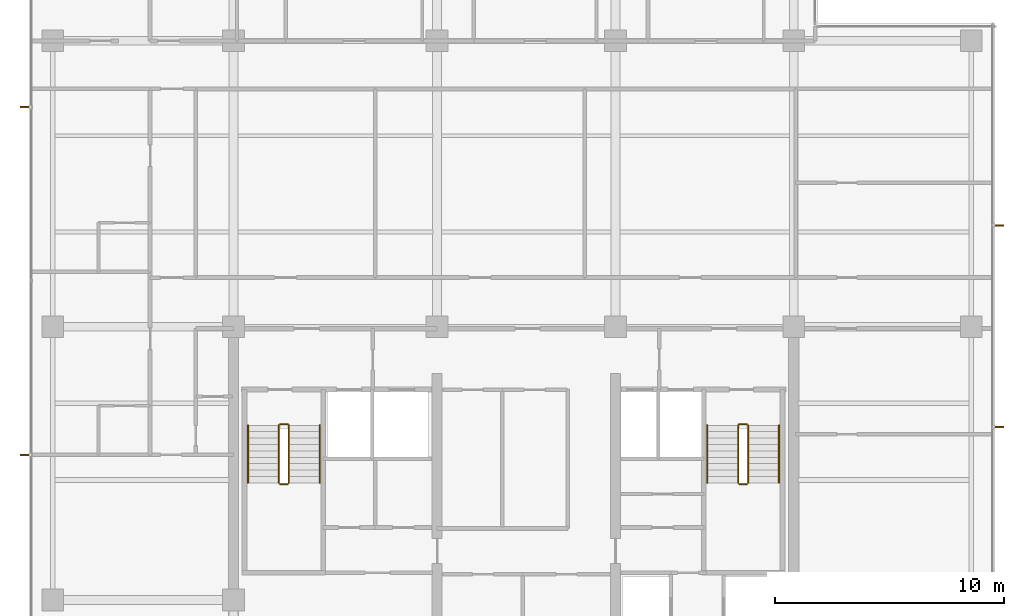
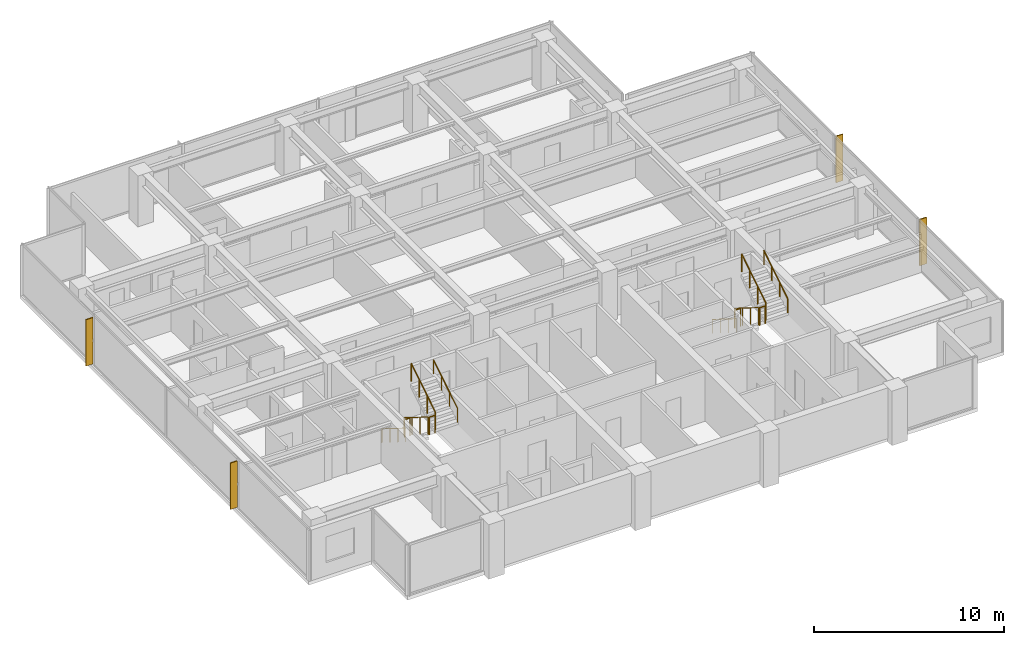
# One storey, part 14 of 15: 12 railings, 4 shading devices.
"""IFC4 building model written with IfcOpenShell, lengths in metres."""

from ifc_helpers import new_model, si_unit, direction, frame, origin, origin_2d, place, context, subcontext, project, spatial, polyline, circle, outline, extrude, material, layer, layer_set, type_object, element, save


model = new_model("IFC4")

# Units and contexts
model_context = context("Model", 3, precision=1e-05, world=origin(), true_north=direction((0.0, 1.0)))
body_context = subcontext(model_context, "Body", "Model", "MODEL_VIEW")
ifc_project = project(units=[si_unit("LENGTHUNIT", "METRE"), si_unit("AREAUNIT", "SQUARE_METRE"), si_unit("VOLUMEUNIT", "CUBIC_METRE"), si_unit("PLANEANGLEUNIT", "RADIAN"), si_unit("MASSUNIT", "GRAM", prefix="KILO")], contexts=[model_context])

# Site, building, storey
site_placement = place(None, origin())
site = spatial("IfcSite", under=ifc_project, at=site_placement, CompositionType="ELEMENT")
building_placement = place(site_placement, origin())
building = spatial("IfcBuilding", under=site, at=building_placement, Name="Qalmaran Belvedere Hotel", CompositionType="ELEMENT")
storey_placement = place(building_placement, frame((0.0, 0.0, 214.39990234375)))
storey = spatial("IfcBuildingStorey", under=building, at=storey_placement, Name="L54", CompositionType="ELEMENT", Elevation=214.39990234375)

# Shading devices
ifc_material_1 = material(Name="Anodised Bronze Aluminium", Category="aluminium")
ifc_layer = layer(ifc_material_1, 0.06494140625, Name="Anodised Bronze Aluminium")
ifc_layer_set = layer_set([ifc_layer], Name="Anodised Bronze Aluminium")
shading_device_type = type_object("IfcShadingDeviceType", Name="FIN-BRNZ-420", PredefinedType="USERDEFINED", material=ifc_layer_set)
shading_device_1_placement = place(storey_placement, frame((0.0, 0.0, 0.16015625)))
element("IfcShadingDevice", 1, at=shading_device_1_placement, inside=storey, type_object=shading_device_type, Name="L54 Bronze Fin 1", ObjectType="FIN", PredefinedType="USERDEFINED", context=body_context, shape_type="SweptSolid", body=[
    extrude(outline(polyline([(53.5673828125, 16.084228515625), (53.987548828125, 16.084228515625), (53.987548828125, 16.149169921875), (53.5673828125, 16.149169921875), (53.5673828125, 16.084228515625)])), origin(), (0.0, 0.0, 1.0), 2.97998046875),
])
shading_device_2_placement = place(storey_placement, frame((0.0, 0.0, 0.16015625)))
element("IfcShadingDevice", 2, at=shading_device_2_placement, inside=storey, type_object=shading_device_type, Name="L54 Bronze Fin 2", ObjectType="FIN", PredefinedType="USERDEFINED", context=body_context, shape_type="SweptSolid", body=[
    extrude(outline(polyline([(53.5673828125, 24.90087890625), (53.987548828125, 24.90087890625), (53.987548828125, 24.9658203125), (53.5673828125, 24.9658203125), (53.5673828125, 24.90087890625)])), origin(), (0.0, 0.0, 1.0), 2.97998046875),
])
shading_device_3_placement = place(storey_placement, frame((0.0, 0.0, 0.16015625)))
element("IfcShadingDevice", 3, at=shading_device_3_placement, inside=storey, type_object=shading_device_type, Name="L54 Bronze Fin 1", ObjectType="FIN", PredefinedType="USERDEFINED", context=body_context, shape_type="SweptSolid", body=[
    extrude(outline(polyline([(11.382568359375, 30.132568359375), (10.96240234375, 30.132568359375), (10.96240234375, 30.0673828125), (11.382568359375, 30.0673828125), (11.382568359375, 30.132568359375)])), origin(), (0.0, 0.0, 1.0), 2.97998046875),
])
shading_device_4_placement = place(storey_placement, frame((0.0, 0.0, 0.16015625)))
element("IfcShadingDevice", 4, at=shading_device_4_placement, inside=storey, type_object=shading_device_type, Name="L54 Bronze Fin 3", ObjectType="FIN", PredefinedType="USERDEFINED", context=body_context, shape_type="SweptSolid", body=[
    extrude(outline(polyline([(11.382568359375, 14.9326171875), (10.96240234375, 14.9326171875), (10.96240234375, 14.867431640625), (11.382568359375, 14.867431640625), (11.382568359375, 14.9326171875)])), origin(), (0.0, 0.0, 1.0), 2.97998046875),
])

# Railings
ifc_material_2 = material(Name="Stainless Steel 1.4401", Category="steel")
railing_type_1 = type_object("IfcRailingType", Name="RLG-STAIR-GUARD-1150", PredefinedType="GUARDRAIL", material=ifc_material_2)
railing_1_placement = place(storey_placement, frame((22.280029296875, 16.18994140625, 0.175048828125)))
element("IfcRailing", 5, at=railing_1_placement, inside=storey, type_object=railing_type_1, Name="L54 ST-1 stair guard 1", PredefinedType="GUARDRAIL", context=body_context, shape_type="SweptSolid", body=[
    extrude(circle(Radius=0.02392578125, at=origin_2d()), frame((0.0, 0.0, 1.1259765625), z_axis=(0.0, -0.848007534815, 0.529984170421), x_axis=(1.0, 0.0, 0.0)), (0.0, 0.0, 1.0), 2.9716796875),
    extrude(circle(Radius=0.02099609375, at=origin_2d()), origin(), (0.0, 0.0, 1.0), 1.101806640625),
    extrude(circle(Radius=0.02099609375, at=origin_2d()), frame((0.0, -0.840087890625, 0.52490234375)), (0.0, 0.0, 1.0), 1.101806640625),
    extrude(circle(Radius=0.02099609375, at=origin_2d()), frame((0.0, -1.679931640625, 1.050048828125)), (0.0, 0.0, 1.0), 1.101806640625),
    extrude(circle(Radius=0.02099609375, at=origin_2d()), frame((0.0, -2.52001953125, 1.574951171875)), (0.0, 0.0, 1.0), 1.101806640625),
])
railing_2_placement = place(storey_placement, frame((22.330078125, 13.6201171875, 1.75)))
element("IfcRailing", 6, at=railing_2_placement, inside=storey, type_object=railing_type_1, Name="L54 ST-1 stair guard 2", PredefinedType="GUARDRAIL", context=body_context, shape_type="SweptSolid", body=[
    extrude(circle(Radius=0.02392578125, at=origin_2d()), frame((0.0, 0.0, 1.1259765625), z_axis=(1.0, 0.0, 0.0), x_axis=(0.0, 1.0, 0.0)), (0.0, 0.0, 1.0), 0.33984375),
    extrude(circle(Radius=0.02099609375, at=origin_2d()), origin(), (0.0, 0.0, 1.0), 1.101806640625),
    extrude(circle(Radius=0.02099609375, at=origin_2d()), frame((0.33984375, 0.0, 0.0)), (0.0, 0.0, 1.0), 1.101806640625),
])
railing_3_placement = place(storey_placement, frame((22.719970703125, 13.669921875, 1.925048828125)))
element("IfcRailing", 7, at=railing_3_placement, inside=storey, type_object=railing_type_1, Name="L54 ST-1 stair guard 3", PredefinedType="GUARDRAIL", context=body_context, shape_type="SweptSolid", body=[
    extrude(circle(Radius=0.02392578125, at=origin_2d()), frame((0.0, 0.0, 1.1259765625), z_axis=(0.0, 0.848007534815, 0.529984170421), x_axis=(-1.0, 0.0, 0.0)), (0.0, 0.0, 1.0), 2.9716796875),
    extrude(circle(Radius=0.02099609375, at=origin_2d()), origin(), (0.0, 0.0, 1.0), 1.101806640625),
    extrude(circle(Radius=0.02099609375, at=origin_2d()), frame((0.0, 0.840087890625, 0.52490234375)), (0.0, 0.0, 1.0), 1.101806640625),
    extrude(circle(Radius=0.02099609375, at=origin_2d()), frame((0.0, 1.679931640625, 1.050048828125)), (0.0, 0.0, 1.0), 1.101806640625),
    extrude(circle(Radius=0.02099609375, at=origin_2d()), frame((0.0, 2.52001953125, 1.574951171875)), (0.0, 0.0, 1.0), 1.101806640625),
])
railing_4_placement = place(storey_placement, frame((22.330078125, 16.239990234375, 0.0)))
element("IfcRailing", 8, at=railing_4_placement, inside=storey, type_object=railing_type_1, Name="L54 ST-1 stair guard 4", PredefinedType="GUARDRAIL", context=body_context, shape_type="SweptSolid", body=[
    extrude(circle(Radius=0.02392578125, at=origin_2d()), frame((0.0, 0.0, 1.1259765625), z_axis=(1.0, 0.0, 0.0), x_axis=(0.0, 1.0, 0.0)), (0.0, 0.0, 1.0), 0.33984375),
    extrude(circle(Radius=0.02099609375, at=origin_2d()), origin(), (0.0, 0.0, 1.0), 1.101806640625),
    extrude(circle(Radius=0.02099609375, at=origin_2d()), frame((0.33984375, 0.0, 0.0)), (0.0, 0.0, 1.0), 1.101806640625),
])
railing_5_placement = place(storey_placement, frame((42.360107421875, 16.18994140625, 0.175048828125)))
element("IfcRailing", 9, at=railing_5_placement, inside=storey, type_object=railing_type_1, Name="L54 ST-2 stair guard 1", PredefinedType="GUARDRAIL", context=body_context, shape_type="SweptSolid", body=[
    extrude(circle(Radius=0.02392578125, at=origin_2d()), frame((0.0, 0.0, 1.1259765625), z_axis=(0.0, -0.848007534815, 0.529984170421), x_axis=(1.0, 0.0, 0.0)), (0.0, 0.0, 1.0), 2.9716796875),
    extrude(circle(Radius=0.02099609375, at=origin_2d()), origin(), (0.0, 0.0, 1.0), 1.101806640625),
    extrude(circle(Radius=0.02099609375, at=origin_2d()), frame((0.0, -0.840087890625, 0.52490234375)), (0.0, 0.0, 1.0), 1.101806640625),
    extrude(circle(Radius=0.02099609375, at=origin_2d()), frame((0.0, -1.679931640625, 1.050048828125)), (0.0, 0.0, 1.0), 1.101806640625),
    extrude(circle(Radius=0.02099609375, at=origin_2d()), frame((0.0, -2.52001953125, 1.574951171875)), (0.0, 0.0, 1.0), 1.101806640625),
])
railing_6_placement = place(storey_placement, frame((42.409912109375, 13.6201171875, 1.75)))
element("IfcRailing", 10, at=railing_6_placement, inside=storey, type_object=railing_type_1, Name="L54 ST-2 stair guard 2", PredefinedType="GUARDRAIL", context=body_context, shape_type="SweptSolid", body=[
    extrude(circle(Radius=0.02392578125, at=origin_2d()), frame((0.0, 0.0, 1.1259765625), z_axis=(1.0, 0.0, 0.0), x_axis=(0.0, 1.0, 0.0)), (0.0, 0.0, 1.0), 0.340087890625),
    extrude(circle(Radius=0.02099609375, at=origin_2d()), origin(), (0.0, 0.0, 1.0), 1.101806640625),
    extrude(circle(Radius=0.02099609375, at=origin_2d()), frame((0.340087890625, 0.0, 0.0)), (0.0, 0.0, 1.0), 1.101806640625),
])
railing_7_placement = place(storey_placement, frame((42.800048828125, 13.669921875, 1.925048828125)))
element("IfcRailing", 11, at=railing_7_placement, inside=storey, type_object=railing_type_1, Name="L54 ST-2 stair guard 3", PredefinedType="GUARDRAIL", context=body_context, shape_type="SweptSolid", body=[
    extrude(circle(Radius=0.02392578125, at=origin_2d()), frame((0.0, 0.0, 1.1259765625), z_axis=(0.0, 0.848007534815, 0.529984170421), x_axis=(-1.0, 0.0, 0.0)), (0.0, 0.0, 1.0), 2.9716796875),
    extrude(circle(Radius=0.02099609375, at=origin_2d()), origin(), (0.0, 0.0, 1.0), 1.101806640625),
    extrude(circle(Radius=0.02099609375, at=origin_2d()), frame((0.0, 0.840087890625, 0.52490234375)), (0.0, 0.0, 1.0), 1.101806640625),
    extrude(circle(Radius=0.02099609375, at=origin_2d()), frame((0.0, 1.679931640625, 1.050048828125)), (0.0, 0.0, 1.0), 1.101806640625),
    extrude(circle(Radius=0.02099609375, at=origin_2d()), frame((0.0, 2.52001953125, 1.574951171875)), (0.0, 0.0, 1.0), 1.101806640625),
])
railing_8_placement = place(storey_placement, frame((42.409912109375, 16.239990234375, 0.0)))
element("IfcRailing", 12, at=railing_8_placement, inside=storey, type_object=railing_type_1, Name="L54 ST-2 stair guard 4", PredefinedType="GUARDRAIL", context=body_context, shape_type="SweptSolid", body=[
    extrude(circle(Radius=0.02392578125, at=origin_2d()), frame((0.0, 0.0, 1.1259765625), z_axis=(1.0, 0.0, 0.0), x_axis=(0.0, 1.0, 0.0)), (0.0, 0.0, 1.0), 0.340087890625),
    extrude(circle(Radius=0.02099609375, at=origin_2d()), origin(), (0.0, 0.0, 1.0), 1.101806640625),
    extrude(circle(Radius=0.02099609375, at=origin_2d()), frame((0.340087890625, 0.0, 0.0)), (0.0, 0.0, 1.0), 1.101806640625),
])
railing_type_2 = type_object("IfcRailingType", Name="RLG-STAIR-HAND-910", PredefinedType="HANDRAIL", material=ifc_material_2)
railing_9_placement = place(storey_placement, frame((20.929931640625, 16.18994140625, 0.175048828125)))
element("IfcRailing", 13, at=railing_9_placement, inside=storey, type_object=railing_type_2, Name="L54 ST-1 stair handrail 1", PredefinedType="HANDRAIL", context=body_context, shape_type="SweptSolid", body=[
    extrude(circle(Radius=0.02392578125, at=origin_2d()), frame((0.0, 0.0, 0.8857421875), z_axis=(0.0, -0.848007534815, 0.529984170421), x_axis=(1.0, 0.0, 0.0)), (0.0, 0.0, 1.0), 2.9716796875),
    extrude(circle(Radius=0.02099609375, at=origin_2d()), origin(), (0.0, 0.0, 1.0), 0.86181640625),
    extrude(circle(Radius=0.02099609375, at=origin_2d()), frame((0.0, -0.840087890625, 0.52490234375)), (0.0, 0.0, 1.0), 0.86181640625),
    extrude(circle(Radius=0.02099609375, at=origin_2d()), frame((0.0, -1.679931640625, 1.050048828125)), (0.0, 0.0, 1.0), 0.86181640625),
    extrude(circle(Radius=0.02099609375, at=origin_2d()), frame((0.0, -2.52001953125, 1.574951171875)), (0.0, 0.0, 1.0), 0.86181640625),
])
railing_10_placement = place(storey_placement, frame((24.070068359375, 13.669921875, 1.925048828125)))
element("IfcRailing", 14, at=railing_10_placement, inside=storey, type_object=railing_type_2, Name="L54 ST-1 stair handrail 2", PredefinedType="HANDRAIL", context=body_context, shape_type="SweptSolid", body=[
    extrude(circle(Radius=0.02392578125, at=origin_2d()), frame((0.0, 0.0, 0.8857421875), z_axis=(0.0, 0.848007534815, 0.529984170421), x_axis=(-1.0, 0.0, 0.0)), (0.0, 0.0, 1.0), 2.9716796875),
    extrude(circle(Radius=0.02099609375, at=origin_2d()), origin(), (0.0, 0.0, 1.0), 0.86181640625),
    extrude(circle(Radius=0.02099609375, at=origin_2d()), frame((0.0, 0.840087890625, 0.52490234375)), (0.0, 0.0, 1.0), 0.86181640625),
    extrude(circle(Radius=0.02099609375, at=origin_2d()), frame((0.0, 1.679931640625, 1.050048828125)), (0.0, 0.0, 1.0), 0.86181640625),
    extrude(circle(Radius=0.02099609375, at=origin_2d()), frame((0.0, 2.52001953125, 1.574951171875)), (0.0, 0.0, 1.0), 0.86181640625),
])
railing_11_placement = place(storey_placement, frame((41.010009765625, 16.18994140625, 0.175048828125)))
element("IfcRailing", 15, at=railing_11_placement, inside=storey, type_object=railing_type_2, Name="L54 ST-2 stair handrail 1", PredefinedType="HANDRAIL", context=body_context, shape_type="SweptSolid", body=[
    extrude(circle(Radius=0.02392578125, at=origin_2d()), frame((0.0, 0.0, 0.8857421875), z_axis=(0.0, -0.848007534815, 0.529984170421), x_axis=(1.0, 0.0, 0.0)), (0.0, 0.0, 1.0), 2.9716796875),
    extrude(circle(Radius=0.02099609375, at=origin_2d()), origin(), (0.0, 0.0, 1.0), 0.86181640625),
    extrude(circle(Radius=0.02099609375, at=origin_2d()), frame((0.0, -0.840087890625, 0.52490234375)), (0.0, 0.0, 1.0), 0.86181640625),
    extrude(circle(Radius=0.02099609375, at=origin_2d()), frame((0.0, -1.679931640625, 1.050048828125)), (0.0, 0.0, 1.0), 0.86181640625),
    extrude(circle(Radius=0.02099609375, at=origin_2d()), frame((0.0, -2.52001953125, 1.574951171875)), (0.0, 0.0, 1.0), 0.86181640625),
])
railing_12_placement = place(storey_placement, frame((44.14990234375, 13.669921875, 1.925048828125)))
element("IfcRailing", 16, at=railing_12_placement, inside=storey, type_object=railing_type_2, Name="L54 ST-2 stair handrail 2", PredefinedType="HANDRAIL", context=body_context, shape_type="SweptSolid", body=[
    extrude(circle(Radius=0.02392578125, at=origin_2d()), frame((0.0, 0.0, 0.8857421875), z_axis=(0.0, 0.848007534815, 0.529984170421), x_axis=(-1.0, 0.0, 0.0)), (0.0, 0.0, 1.0), 2.9716796875),
    extrude(circle(Radius=0.02099609375, at=origin_2d()), origin(), (0.0, 0.0, 1.0), 0.86181640625),
    extrude(circle(Radius=0.02099609375, at=origin_2d()), frame((0.0, 0.840087890625, 0.52490234375)), (0.0, 0.0, 1.0), 0.86181640625),
    extrude(circle(Radius=0.02099609375, at=origin_2d()), frame((0.0, 1.679931640625, 1.050048828125)), (0.0, 0.0, 1.0), 0.86181640625),
    extrude(circle(Radius=0.02099609375, at=origin_2d()), frame((0.0, 2.52001953125, 1.574951171875)), (0.0, 0.0, 1.0), 0.86181640625),
])

save(model, "model.ifc")
